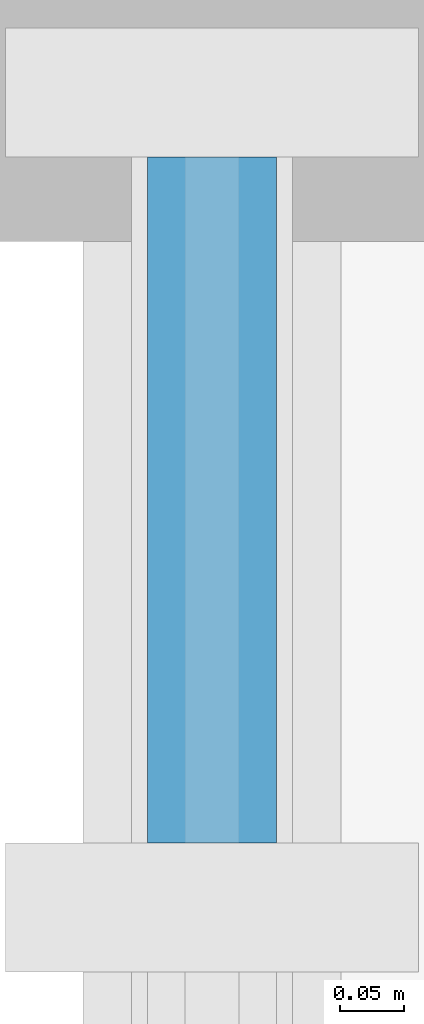
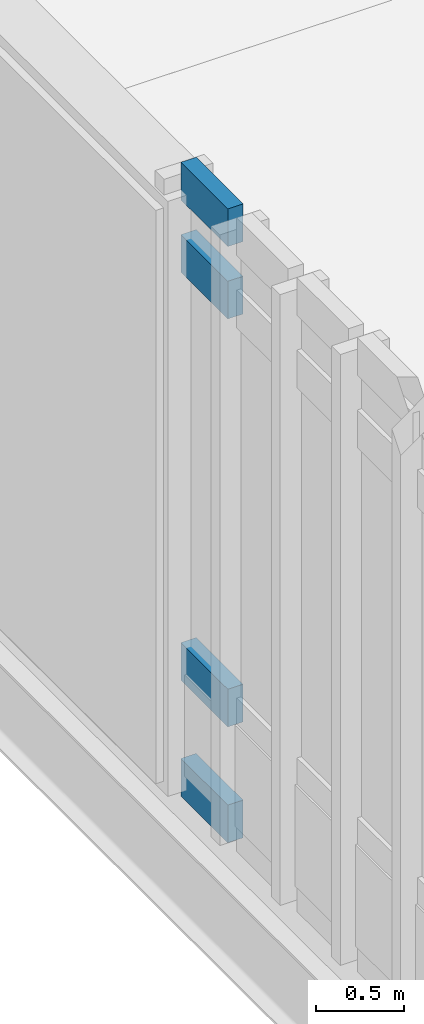
# One storey, part 54 of 135: 4 members, 1 element without a shape of its own.
"""IFC4 building model written with IfcOpenShell, lengths in metres."""

from ifc_helpers import new_model, si_unit, direction, frame, origin, origin_2d, place, context, subcontext, project, spatial, rectangle, extrude, material, material_profile, profile_set, type_object, element, aggregate, save


model = new_model("IFC4")

# Units and contexts
model_context = context("Model", 3, precision=1e-05, world=origin(), true_north=direction((0.0, 1.0)))
body_context = subcontext(model_context, "Body", "Model", "MODEL_VIEW")
ifc_project = project(units=[si_unit("LENGTHUNIT", "METRE"), si_unit("AREAUNIT", "SQUARE_METRE"), si_unit("VOLUMEUNIT", "CUBIC_METRE"), si_unit("PLANEANGLEUNIT", "RADIAN"), si_unit("MASSUNIT", "GRAM", prefix="KILO")], contexts=[model_context])

# Site, building, storey
site_placement = place(None, origin())
site = spatial("IfcSite", under=ifc_project, at=site_placement, CompositionType="ELEMENT")
building_placement = place(site_placement, origin())
building = spatial("IfcBuilding", under=site, at=building_placement, Name="Larkvane Passage Sports Hall", CompositionType="ELEMENT")
storey_placement = place(building_placement, frame((0.0, 0.0, 16.800048828125)))
storey = spatial("IfcBuildingStorey", under=building, at=storey_placement, Name="L03", CompositionType="ELEMENT", Elevation=16.800048828125)

# Curtain wall, members
ifc_material_1 = material(Name="Thermally broken aluminium and low-E glazing", Category="aluminium")
curtain_wall_type = type_object("IfcCurtainWallType", Name="CW-CLINIC", PredefinedType="USERDEFINED", material=ifc_material_1)
curtain_wall_placement = place(storey_placement, origin())
curtain_wall = element("IfcCurtainWall", 1, at=curtain_wall_placement, inside=storey, type_object=curtain_wall_type, Name="Curtain wall CW5-L03-123", ObjectType="UNITISED CURTAIN WALL", PredefinedType="USERDEFINED")
ifc_material_2 = material(Name="Anodised aluminium 6063-T6", Category="aluminium")
ifc_material_profile = material_profile(ifc_material_2, rectangle(XDim=0.10009765625, YDim=0.260009765625, at=origin_2d()), Name="ALU-TRN-100x260")
ifc_profile_set = profile_set([ifc_material_profile], Name="Anodised aluminium 6063-T6")
member_type = type_object("IfcMemberType", Name="CW-TRN-100x260", PredefinedType="USERDEFINED", material=ifc_profile_set)
member_1_placement = place(storey_placement, frame((124.60009765625, 56.96826171875, 0.050048828125), z_axis=(0.0, 1.0, 0.0), x_axis=(-1.0, 0.0, 0.0)))
member_1 = element("IfcMember", 2, at=member_1_placement, type_object=member_type, Name="CW-05 transom 8.1", ObjectType="TRANSOM", PredefinedType="USERDEFINED", context=body_context, shape_type="SweptSolid", body=[
    extrude(rectangle(XDim=0.10009765625, YDim=0.260009765625, at=origin_2d()), origin(), (0.0, 0.0, 1.0), 0.53173828125),
])
member_2_placement = place(storey_placement, frame((124.60009765625, 56.96826171875, 0.849853515625), z_axis=(0.0, 1.0, 0.0), x_axis=(-1.0, 0.0, 0.0)))
member_2 = element("IfcMember", 3, at=member_2_placement, type_object=member_type, Name="CW-05 transom 8.2", ObjectType="TRANSOM", PredefinedType="USERDEFINED", context=body_context, shape_type="SweptSolid", body=[
    extrude(rectangle(XDim=0.10009765625, YDim=0.260009765625, at=origin_2d()), origin(), (0.0, 0.0, 1.0), 0.53173828125),
])
member_3_placement = place(storey_placement, frame((124.60009765625, 56.96826171875, 3.666015625), z_axis=(0.0, 1.0, 0.0), x_axis=(-1.0, 0.0, 0.0)))
member_3 = element("IfcMember", 4, at=member_3_placement, type_object=member_type, Name="CW-05 transom 8.3", ObjectType="TRANSOM", PredefinedType="USERDEFINED", context=body_context, shape_type="SweptSolid", body=[
    extrude(rectangle(XDim=0.10009765625, YDim=0.260009765625, at=origin_2d()), origin(), (0.0, 0.0, 1.0), 0.53173828125),
])
member_4_placement = place(storey_placement, frame((124.60009765625, 56.96826171875, 4.166015625), z_axis=(0.0, 1.0, 0.0), x_axis=(-1.0, 0.0, 0.0)))
member_4 = element("IfcMember", 5, at=member_4_placement, type_object=member_type, Name="CW-05 transom 8.4", ObjectType="TRANSOM", PredefinedType="USERDEFINED", context=body_context, shape_type="SweptSolid", body=[
    extrude(rectangle(XDim=0.10009765625, YDim=0.260009765625, at=origin_2d()), origin(), (0.0, 0.0, 1.0), 0.53173828125),
])
aggregate(curtain_wall, [member_1, member_2, member_3, member_4])

save(model, "model.ifc")
